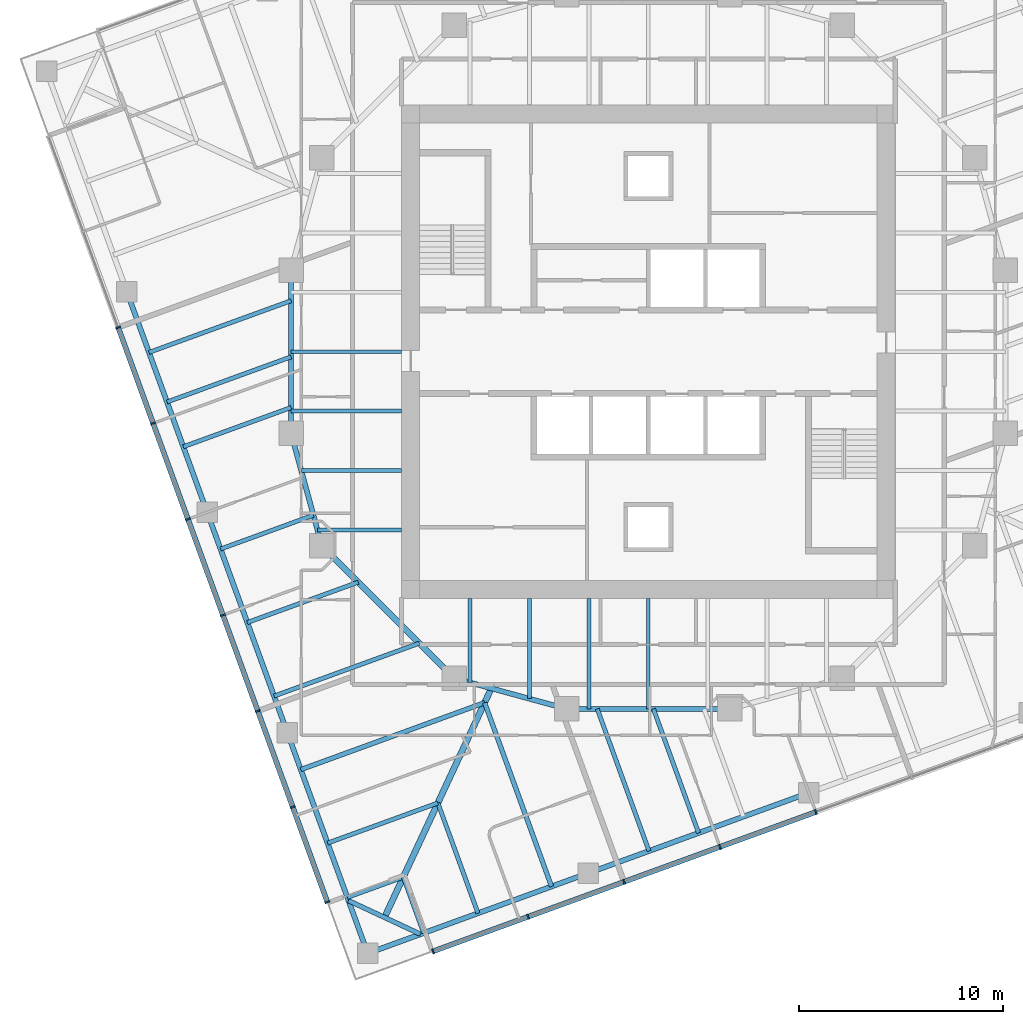
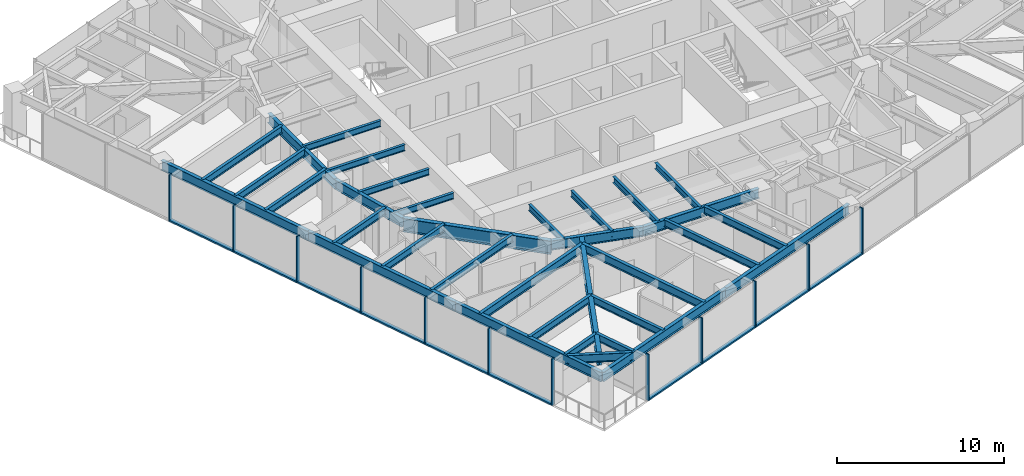
# One storey, part 2 of 13: 34 beams, 22 members, 2 elements without a shape of their own.
"""IFC4 building model written with IfcOpenShell, lengths in metres."""

from ifc_helpers import new_model, si_unit, direction, frame, origin, origin_2d, place, context, subcontext, project, spatial, rectangle, i_section, extrude, material, material_profile, profile_set, type_object, element, aggregate, save


model = new_model("IFC4")

# Units and contexts
model_context = context("Model", 3, precision=1e-05, world=origin(), true_north=direction((0.0, 1.0)))
body_context = subcontext(model_context, "Body", "Model", "MODEL_VIEW")
ifc_project = project(units=[si_unit("LENGTHUNIT", "METRE"), si_unit("AREAUNIT", "SQUARE_METRE"), si_unit("VOLUMEUNIT", "CUBIC_METRE"), si_unit("PLANEANGLEUNIT", "RADIAN"), si_unit("MASSUNIT", "GRAM", prefix="KILO")], contexts=[model_context])

# Site, building, storey
site_placement = place(None, origin())
site = spatial("IfcSite", under=ifc_project, at=site_placement, CompositionType="ELEMENT")
building_placement = place(site_placement, origin())
building = spatial("IfcBuilding", under=site, at=building_placement, Name="Torsade Residences", CompositionType="ELEMENT")
storey_placement = place(building_placement, frame((0.0, 0.0, 157.39990234375)))
storey = spatial("IfcBuildingStorey", under=building, at=storey_placement, Name="L43", CompositionType="ELEMENT", Elevation=157.39990234375)

# Beams
ifc_material_1 = material(Name="Steel grade 300", Category="steel")
ifc_material_profile_1 = material_profile(ifc_material_1, i_section(OverallWidth=0.300048828125, OverallDepth=0.89990234375, WebThickness=0.011962890625, FlangeThickness=0.02490234375, at=origin_2d()), Name="900WB175")
ifc_profile_set_1 = profile_set([ifc_material_profile_1], Name="Steel grade 300")
beam_type_1 = type_object("IfcBeamType", Name="CORNER GIRDER 900WB175", PredefinedType="BEAM", material=ifc_profile_set_1)
beam_1_placement = place(storey_placement, frame((27.075439453125, 2.282958984375, 2.800048828125), z_axis=(0.422616712682, 0.906308509373, 0.0), x_axis=(-0.906308509373, 0.422616712682, 0.0)))
element("IfcBeam", 1, at=beam_1_placement, inside=storey, type_object=beam_type_1, Name="Corner girder 01 L44", PredefinedType="BEAM", context=body_context, shape_type="SweptSolid", body=[
    extrude(i_section(OverallWidth=0.300048828125, OverallDepth=0.89990234375, WebThickness=0.011962890625, FlangeThickness=0.02490234375, at=origin_2d()), origin(), (0.0, 0.0, 1.0), 12.3837890625),
])
ifc_material_2 = material(Name="Steel grade 300", Category="steel")
ifc_material_profile_2 = material_profile(ifc_material_2, i_section(OverallWidth=0.22802734375, OverallDepth=0.60205078125, WebThickness=0.010498046875, FlangeThickness=0.014892578125, FilletRadius=0.013916015625, at=origin_2d()), Name="610UB101")
ifc_profile_set_2 = profile_set([ifc_material_profile_2], Name="Steel grade 300")
beam_type_2 = type_object("IfcBeamType", Name="CORNER TRIMMER 610UB101", PredefinedType="BEAM", material=ifc_profile_set_2)
beam_2_placement = place(storey_placement, frame((28.837646484375, 1.461181640625, 2.94921875), z_axis=(-0.906309798645, 0.422613947806, 0.0), x_axis=(-0.422613947806, -0.906309798645, 0.0)))
element("IfcBeam", 2, at=beam_2_placement, inside=storey, type_object=beam_type_2, Name="Corner trimmer 01 L44", PredefinedType="BEAM", context=body_context, shape_type="SweptSolid", body=[
    extrude(i_section(OverallWidth=0.22802734375, OverallDepth=0.60205078125, WebThickness=0.010498046875, FlangeThickness=0.014892578125, FilletRadius=0.013916015625, at=origin_2d()), origin(), (0.0, 0.0, 1.0), 3.888916015625),
])
ifc_material_3 = material(Name="Steel grade 300", Category="steel")
ifc_material_profile_3 = material_profile(ifc_material_3, i_section(OverallWidth=0.25, OverallDepth=0.699951171875, WebThickness=0.010009765625, FlangeThickness=0.02001953125, at=origin_2d()), Name="700WB130")
ifc_profile_set_3 = profile_set([ifc_material_profile_3], Name="Steel grade 300")
beam_type_3 = type_object("IfcBeamType", Name="EDGE BEAM 700WB130", PredefinedType="SPANDREL", material=ifc_profile_set_3)
beam_3_placement = place(storey_placement, frame((26.25341796875, 0.5205078125, 2.900146484375), z_axis=(0.93969110915, 0.342024296483, 0.0), x_axis=(-0.342024296483, 0.93969110915, 0.0)))
element("IfcBeam", 3, at=beam_3_placement, inside=storey, type_object=beam_type_3, Name="Edge beam 01 L44", PredefinedType="SPANDREL", context=body_context, shape_type="SweptSolid", body=[
    extrude(i_section(OverallWidth=0.25, OverallDepth=0.699951171875, WebThickness=0.010009765625, FlangeThickness=0.02001953125, at=origin_2d()), origin(), (0.0, 0.0, 1.0), 11.500244140625),
])
for number, where, z_axis, x_axis, name in (
    (4, (37.06005859375, 4.453857421875, 2.900146484375), (0.939695448801, 0.342012373318, 0.0), (-0.342012373318, 0.939695448801, 0.0), "Edge beam 02 L44"),
    (5, (14.453857421875, 32.93994140625, 2.900146484375), (0.342012373318, -0.939695448801, 0.0), (0.939695448801, 0.342012373318, 0.0), "Edge beam 14 L44"),
    (6, (18.386962890625, 22.133544921875, 2.900146484375), (0.342031119628, -0.939688625666, 0.0), (0.939688625666, 0.342031119628, 0.0), "Edge beam 15 L44"),
    (7, (22.3203125, 11.3271484375, 2.900146484375), (0.342005550448, -0.939697932031, 0.0), (0.939697932031, 0.342005550448, 0.0), "Edge beam 16 L44"),
):
    element("IfcBeam", number, at=place(storey_placement, frame(where, z_axis=z_axis, x_axis=x_axis)), inside=storey, type_object=beam_type_3, Name=name, PredefinedType="SPANDREL", context=body_context, shape_type="SweptSolid", body=[
        extrude(i_section(OverallWidth=0.25, OverallDepth=0.699951171875, WebThickness=0.010009765625, FlangeThickness=0.02001953125, at=origin_2d()), origin(), (0.0, 0.0, 1.0), 11.5),
    ])
ifc_material_4 = material(Name="Steel grade 300", Category="steel")
ifc_material_profile_4 = material_profile(ifc_material_4, i_section(OverallWidth=0.18994140625, OverallDepth=0.4541015625, WebThickness=0.008544921875, FlangeThickness=0.0126953125, FilletRadius=0.011474609375, at=origin_2d()), Name="460UB67.1")
ifc_profile_set_4 = profile_set([ifc_material_profile_4], Name="Steel grade 300")
beam_type_4 = type_object("IfcBeamType", Name="INNER FLOOR BEAM 460UB67.1", PredefinedType="JOIST", material=ifc_profile_set_4)
for number, where, z_axis, x_axis, name in (
    (8, (40.0, 17.89990234375, 3.023193359375), (0.0, -1.0, 0.0), (1.0, 0.0, 0.0), "Inner floor beam IS04 L44"),
    (9, (37.08740234375, 17.89990234375, 3.023193359375), (0.0, -1.0, 0.0), (1.0, 0.0, 0.0), "Inner floor beam IS05 L44"),
):
    element("IfcBeam", number, at=place(storey_placement, frame(where, z_axis=z_axis, x_axis=x_axis)), inside=storey, type_object=beam_type_4, Name=name, PredefinedType="JOIST", context=body_context, shape_type="SweptSolid", body=[
        extrude(i_section(OverallWidth=0.18994140625, OverallDepth=0.4541015625, WebThickness=0.008544921875, FlangeThickness=0.0126953125, FilletRadius=0.011474609375, at=origin_2d()), origin(), (0.0, 0.0, 1.0), 5.39990234375),
    ])
beam_4_placement = place(storey_placement, frame((34.175048828125, 17.89990234375, 3.023193359375), z_axis=(0.0, -1.0, 0.0), x_axis=(1.0, 0.0, 0.0)))
element("IfcBeam", 10, at=beam_4_placement, inside=storey, type_object=beam_type_4, Name="Inner floor beam IS06 L44", PredefinedType="JOIST", context=body_context, shape_type="SweptSolid", body=[
    extrude(i_section(OverallWidth=0.18994140625, OverallDepth=0.4541015625, WebThickness=0.008544921875, FlangeThickness=0.0126953125, FilletRadius=0.011474609375, at=origin_2d()), origin(), (0.0, 0.0, 1.0), 4.902099609375),
])
beam_5_placement = place(storey_placement, frame((31.262451171875, 17.89990234375, 3.023193359375), z_axis=(0.0, -1.0, 0.0), x_axis=(1.0, 0.0, 0.0)))
element("IfcBeam", 11, at=beam_5_placement, inside=storey, type_object=beam_type_4, Name="Inner floor beam IS07 L44", PredefinedType="JOIST", context=body_context, shape_type="SweptSolid", body=[
    extrude(i_section(OverallWidth=0.18994140625, OverallDepth=0.4541015625, WebThickness=0.008544921875, FlangeThickness=0.0126953125, FilletRadius=0.011474609375, at=origin_2d()), origin(), (0.0, 0.0, 1.0), 4.10791015625),
])
for number, where, z_axis, x_axis, name in (
    (12, (27.89990234375, 30.0, 3.023193359375), (-1.0, 0.0, 0.0), (0.0, -1.0, 0.0), "Inner floor beam IW04 L44"),
    (13, (27.89990234375, 27.08740234375, 3.023193359375), (-1.0, 0.0, 0.0), (0.0, -1.0, 0.0), "Inner floor beam IW05 L44"),
):
    element("IfcBeam", number, at=place(storey_placement, frame(where, z_axis=z_axis, x_axis=x_axis)), inside=storey, type_object=beam_type_4, Name=name, PredefinedType="JOIST", context=body_context, shape_type="SweptSolid", body=[
        extrude(i_section(OverallWidth=0.18994140625, OverallDepth=0.4541015625, WebThickness=0.008544921875, FlangeThickness=0.0126953125, FilletRadius=0.011474609375, at=origin_2d()), origin(), (0.0, 0.0, 1.0), 5.39990234375),
    ])
beam_6_placement = place(storey_placement, frame((27.89990234375, 24.175048828125, 3.023193359375), z_axis=(-1.0, 0.0, 0.0), x_axis=(0.0, -1.0, 0.0)))
element("IfcBeam", 14, at=beam_6_placement, inside=storey, type_object=beam_type_4, Name="Inner floor beam IW06 L44", PredefinedType="JOIST", context=body_context, shape_type="SweptSolid", body=[
    extrude(i_section(OverallWidth=0.18994140625, OverallDepth=0.4541015625, WebThickness=0.008544921875, FlangeThickness=0.0126953125, FilletRadius=0.011474609375, at=origin_2d()), origin(), (0.0, 0.0, 1.0), 4.902099609375),
])
beam_7_placement = place(storey_placement, frame((27.89990234375, 21.262451171875, 3.023193359375), z_axis=(-1.0, 0.0, 0.0), x_axis=(0.0, -1.0, 0.0)))
element("IfcBeam", 15, at=beam_7_placement, inside=storey, type_object=beam_type_4, Name="Inner floor beam IW07 L44", PredefinedType="JOIST", context=body_context, shape_type="SweptSolid", body=[
    extrude(i_section(OverallWidth=0.18994140625, OverallDepth=0.4541015625, WebThickness=0.008544921875, FlangeThickness=0.0126953125, FilletRadius=0.011474609375, at=origin_2d()), origin(), (0.0, 0.0, 1.0), 4.10791015625),
])

# Curtain wall, members
ifc_material_5 = material(Name="Aluminium and glass", Category="aluminium")
curtain_wall_type = type_object("IfcCurtainWallType", Name="FRITTED GLASS CURTAIN WALL MID ZONE", PredefinedType="NOTDEFINED", material=ifc_material_5)
curtain_wall_1_placement = place(storey_placement, origin())
curtain_wall_1 = element("IfcCurtainWall", 16, at=curtain_wall_1_placement, inside=storey, type_object=curtain_wall_type, Name="Curtain wall L43 face 1", PredefinedType="NOTDEFINED")
ifc_material_6 = material(Name="Aluminium mullion", Category="aluminium")
ifc_material_profile_5 = material_profile(ifc_material_6, rectangle(XDim=0.25, YDim=0.080078125, at=origin_2d()), Name="MID ZONE CURTAIN WALL MULLION 250x80")
ifc_profile_set_5 = profile_set([ifc_material_profile_5], Name="Aluminium mullion")
member_type_1 = type_object("IfcMemberType", Name="MID ZONE CURTAIN WALL MULLION 250x80", PredefinedType="MULLION", material=ifc_profile_set_5)
member_1_placement = place(storey_placement, frame((29.4521484375, 0.62060546875, 0.0), z_axis=(0.0, 0.0, 1.0), x_axis=(-0.342020147869, 0.939692619132, 0.0)))
member_1 = element("IfcMember", 17, at=member_1_placement, type_object=member_type_1, Name="Mullion 1", PredefinedType="MULLION", context=body_context, shape_type="SweptSolid", body=[
    extrude(rectangle(XDim=0.25, YDim=0.080078125, at=origin_2d()), origin(), (0.0, 0.0, 1.0), 3.400146484375),
])
member_2_placement = place(storey_placement, frame((34.113037109375, 2.317138671875, 0.0), z_axis=(0.0, 0.0, 1.0), x_axis=(-0.342020147869, 0.939692619132, 0.0)))
member_2 = element("IfcMember", 18, at=member_2_placement, type_object=member_type_1, Name="Mullion 2", PredefinedType="MULLION", context=body_context, shape_type="SweptSolid", body=[
    extrude(rectangle(XDim=0.25, YDim=0.080078125, at=origin_2d()), origin(), (0.0, 0.0, 1.0), 3.400146484375),
])
member_3_placement = place(storey_placement, frame((38.8115234375, 4.027099609375, 0.0), z_axis=(0.0, 0.0, 1.0), x_axis=(-0.342020147869, 0.939692619132, 0.0)))
member_3 = element("IfcMember", 19, at=member_3_placement, type_object=member_type_1, Name="Mullion 3", PredefinedType="MULLION", context=body_context, shape_type="SweptSolid", body=[
    extrude(rectangle(XDim=0.25, YDim=0.080078125, at=origin_2d()), origin(), (0.0, 0.0, 1.0), 3.400146484375),
])
member_4_placement = place(storey_placement, frame((43.510009765625, 5.7373046875, 0.0), z_axis=(0.0, 0.0, 1.0), x_axis=(-0.342020147869, 0.939692619132, 0.0)))
member_4 = element("IfcMember", 20, at=member_4_placement, type_object=member_type_1, Name="Mullion 4", PredefinedType="MULLION", context=body_context, shape_type="SweptSolid", body=[
    extrude(rectangle(XDim=0.25, YDim=0.080078125, at=origin_2d()), origin(), (0.0, 0.0, 1.0), 3.400146484375),
])
member_5_placement = place(storey_placement, frame((48.20849609375, 7.447265625, 0.0), z_axis=(0.0, 0.0, 1.0), x_axis=(-0.342020147869, 0.939692619132, 0.0)))
member_5 = element("IfcMember", 21, at=member_5_placement, type_object=member_type_1, Name="Mullion 5", PredefinedType="MULLION", context=body_context, shape_type="SweptSolid", body=[
    extrude(rectangle(XDim=0.25, YDim=0.080078125, at=origin_2d()), origin(), (0.0, 0.0, 1.0), 3.400146484375),
])

curtain_wall_2_placement = place(storey_placement, origin())
curtain_wall_2 = element("IfcCurtainWall", 22, at=curtain_wall_2_placement, inside=storey, type_object=curtain_wall_type, Name="Curtain wall L43 face 10", PredefinedType="NOTDEFINED")
member_6_placement = place(storey_placement, frame((14.027099609375, 31.1884765625, 0.0), z_axis=(0.0, 0.0, 1.0), x_axis=(0.939692619132, 0.342020147869, 0.0)))
member_6 = element("IfcMember", 23, at=member_6_placement, type_object=member_type_1, Name="Mullion 3", PredefinedType="MULLION", context=body_context, shape_type="SweptSolid", body=[
    extrude(rectangle(XDim=0.25, YDim=0.080078125, at=origin_2d()), origin(), (0.0, 0.0, 1.0), 3.400146484375),
])
member_7_placement = place(storey_placement, frame((15.7373046875, 26.489990234375, 0.0), z_axis=(0.0, 0.0, 1.0), x_axis=(0.939692619132, 0.342020147869, 0.0)))
member_7 = element("IfcMember", 24, at=member_7_placement, type_object=member_type_1, Name="Mullion 4", PredefinedType="MULLION", context=body_context, shape_type="SweptSolid", body=[
    extrude(rectangle(XDim=0.25, YDim=0.080078125, at=origin_2d()), origin(), (0.0, 0.0, 1.0), 3.400146484375),
])
member_8_placement = place(storey_placement, frame((17.447265625, 21.79150390625, 0.0), z_axis=(0.0, 0.0, 1.0), x_axis=(0.939692619132, 0.342020147869, 0.0)))
member_8 = element("IfcMember", 25, at=member_8_placement, type_object=member_type_1, Name="Mullion 5", PredefinedType="MULLION", context=body_context, shape_type="SweptSolid", body=[
    extrude(rectangle(XDim=0.25, YDim=0.080078125, at=origin_2d()), origin(), (0.0, 0.0, 1.0), 3.400146484375),
])
member_9_placement = place(storey_placement, frame((19.157470703125, 17.093017578125, 0.0), z_axis=(0.0, 0.0, 1.0), x_axis=(0.939692619132, 0.342020147869, 0.0)))
member_9 = element("IfcMember", 26, at=member_9_placement, type_object=member_type_1, Name="Mullion 6", PredefinedType="MULLION", context=body_context, shape_type="SweptSolid", body=[
    extrude(rectangle(XDim=0.25, YDim=0.080078125, at=origin_2d()), origin(), (0.0, 0.0, 1.0), 3.400146484375),
])
member_10_placement = place(storey_placement, frame((20.86767578125, 12.39453125, 0.0), z_axis=(0.0, 0.0, 1.0), x_axis=(0.939692619132, 0.342020147869, 0.0)))
member_10 = element("IfcMember", 27, at=member_10_placement, type_object=member_type_1, Name="Mullion 7", PredefinedType="MULLION", context=body_context, shape_type="SweptSolid", body=[
    extrude(rectangle(XDim=0.25, YDim=0.080078125, at=origin_2d()), origin(), (0.0, 0.0, 1.0), 3.400146484375),
])
member_11_placement = place(storey_placement, frame((22.57763671875, 7.696044921875, 0.0), z_axis=(0.0, 0.0, 1.0), x_axis=(0.939692619132, 0.342020147869, 0.0)))
member_11 = element("IfcMember", 28, at=member_11_placement, type_object=member_type_1, Name="Mullion 8", PredefinedType="MULLION", context=body_context, shape_type="SweptSolid", body=[
    extrude(rectangle(XDim=0.25, YDim=0.080078125, at=origin_2d()), origin(), (0.0, 0.0, 1.0), 3.400146484375),
])
member_12_placement = place(storey_placement, frame((24.274169921875, 3.03515625, 0.0), z_axis=(0.0, 0.0, 1.0), x_axis=(0.939692619132, 0.342020147869, 0.0)))
member_12 = element("IfcMember", 29, at=member_12_placement, type_object=member_type_1, Name="Mullion 9", PredefinedType="MULLION", context=body_context, shape_type="SweptSolid", body=[
    extrude(rectangle(XDim=0.25, YDim=0.080078125, at=origin_2d()), origin(), (0.0, 0.0, 1.0), 3.400146484375),
])

# Member
ifc_material_7 = material(Name="Aluminium transom", Category="aluminium")
ifc_material_profile_6 = material_profile(ifc_material_7, rectangle(XDim=0.25, YDim=0.110107421875, at=origin_2d()), Name="MID ZONE CURTAIN WALL TRANSOM 250x110")
ifc_profile_set_6 = profile_set([ifc_material_profile_6], Name="Aluminium transom")
member_type_2 = type_object("IfcMemberType", Name="MID ZONE CURTAIN WALL TRANSOM 250x110", PredefinedType="USERDEFINED", material=ifc_profile_set_6)
member_13_placement = place(storey_placement, frame((29.48974609375, 0.63427734375, 0.05517578125), z_axis=(0.939683823915, 0.342044311564, 0.0), x_axis=(-0.342044311564, 0.939683823915, 0.0)))
member_13 = element("IfcMember", 30, at=member_13_placement, type_object=member_type_2, Name="Transom 1.1", ObjectType="TRANSOM", PredefinedType="USERDEFINED", context=body_context, shape_type="SweptSolid", body=[
    extrude(rectangle(XDim=0.25, YDim=0.110107421875, at=origin_2d()), origin(), (0.0, 0.0, 1.0), 4.880126953125),
])

member_14_placement = place(storey_placement, frame((34.150634765625, 2.330810546875, 0.05517578125), z_axis=(0.9397006637, 0.341998044792, 0.0), x_axis=(-0.341998044792, 0.9397006637, 0.0)))
member_14 = element("IfcMember", 31, at=member_14_placement, type_object=member_type_2, Name="Transom 2.1", ObjectType="TRANSOM", PredefinedType="USERDEFINED", context=body_context, shape_type="SweptSolid", body=[
    extrude(rectangle(XDim=0.25, YDim=0.110107421875, at=origin_2d()), origin(), (0.0, 0.0, 1.0), 4.919921875),
])

member_15_placement = place(storey_placement, frame((38.84912109375, 4.040771484375, 0.05517578125), z_axis=(0.93968471549, 0.342041862168, 0.0), x_axis=(-0.342041862168, 0.93968471549, 0.0)))
member_15 = element("IfcMember", 32, at=member_15_placement, type_object=member_type_2, Name="Transom 3.1", ObjectType="TRANSOM", PredefinedType="USERDEFINED", context=body_context, shape_type="SweptSolid", body=[
    extrude(rectangle(XDim=0.25, YDim=0.110107421875, at=origin_2d()), origin(), (0.0, 0.0, 1.0), 4.920166015625),
])

member_16_placement = place(storey_placement, frame((43.547607421875, 5.7509765625, 0.05517578125), z_axis=(0.9397006637, 0.341998044792, 0.0), x_axis=(-0.341998044792, 0.9397006637, 0.0)))
member_16 = element("IfcMember", 33, at=member_16_placement, type_object=member_type_2, Name="Transom 4.1", ObjectType="TRANSOM", PredefinedType="USERDEFINED", context=body_context, shape_type="SweptSolid", body=[
    extrude(rectangle(XDim=0.25, YDim=0.110107421875, at=origin_2d()), origin(), (0.0, 0.0, 1.0), 4.919921875),
])

aggregate(curtain_wall_1, [member_1, member_2, member_3, member_4, member_5, member_13, member_14, member_15, member_16])

member_17_placement = place(storey_placement, frame((14.040771484375, 31.15087890625, 0.05517578125), z_axis=(0.342041862168, -0.93968471549, 0.0), x_axis=(0.93968471549, 0.342041862168, 0.0)))
member_17 = element("IfcMember", 34, at=member_17_placement, type_object=member_type_2, Name="Transom 3.1", ObjectType="TRANSOM", PredefinedType="USERDEFINED", context=body_context, shape_type="SweptSolid", body=[
    extrude(rectangle(XDim=0.25, YDim=0.110107421875, at=origin_2d()), origin(), (0.0, 0.0, 1.0), 4.920166015625),
])

member_18_placement = place(storey_placement, frame((15.7509765625, 26.452392578125, 0.05517578125), z_axis=(0.341998044792, -0.9397006637, 0.0), x_axis=(0.9397006637, 0.341998044792, 0.0)))
member_18 = element("IfcMember", 35, at=member_18_placement, type_object=member_type_2, Name="Transom 4.1", ObjectType="TRANSOM", PredefinedType="USERDEFINED", context=body_context, shape_type="SweptSolid", body=[
    extrude(rectangle(XDim=0.25, YDim=0.110107421875, at=origin_2d()), origin(), (0.0, 0.0, 1.0), 4.919921875),
])

member_19_placement = place(storey_placement, frame((17.4609375, 21.75390625, 0.05517578125), z_axis=(0.342041862168, -0.93968471549, 0.0), x_axis=(0.93968471549, 0.342041862168, 0.0)))
member_19 = element("IfcMember", 36, at=member_19_placement, type_object=member_type_2, Name="Transom 5.1", ObjectType="TRANSOM", PredefinedType="USERDEFINED", context=body_context, shape_type="SweptSolid", body=[
    extrude(rectangle(XDim=0.25, YDim=0.110107421875, at=origin_2d()), origin(), (0.0, 0.0, 1.0), 4.920166015625),
])

member_20_placement = place(storey_placement, frame((19.171142578125, 17.055419921875, 0.05517578125), z_axis=(0.342041862168, -0.93968471549, 0.0), x_axis=(0.93968471549, 0.342041862168, 0.0)))
member_20 = element("IfcMember", 37, at=member_20_placement, type_object=member_type_2, Name="Transom 6.1", ObjectType="TRANSOM", PredefinedType="USERDEFINED", context=body_context, shape_type="SweptSolid", body=[
    extrude(rectangle(XDim=0.25, YDim=0.110107421875, at=origin_2d()), origin(), (0.0, 0.0, 1.0), 4.920166015625),
])

member_21_placement = place(storey_placement, frame((20.88134765625, 12.35693359375, 0.05517578125), z_axis=(0.341998044792, -0.9397006637, 0.0), x_axis=(0.9397006637, 0.341998044792, 0.0)))
member_21 = element("IfcMember", 38, at=member_21_placement, type_object=member_type_2, Name="Transom 7.1", ObjectType="TRANSOM", PredefinedType="USERDEFINED", context=body_context, shape_type="SweptSolid", body=[
    extrude(rectangle(XDim=0.25, YDim=0.110107421875, at=origin_2d()), origin(), (0.0, 0.0, 1.0), 4.919921875),
])

member_22_placement = place(storey_placement, frame((22.59130859375, 7.658447265625, 0.05517578125), z_axis=(0.342044311564, -0.939683823915, 0.0), x_axis=(0.939683823915, 0.342044311564, 0.0)))
member_22 = element("IfcMember", 39, at=member_22_placement, type_object=member_type_2, Name="Transom 8.1", ObjectType="TRANSOM", PredefinedType="USERDEFINED", context=body_context, shape_type="SweptSolid", body=[
    extrude(rectangle(XDim=0.25, YDim=0.110107421875, at=origin_2d()), origin(), (0.0, 0.0, 1.0), 4.880126953125),
])

aggregate(curtain_wall_2, [member_6, member_7, member_8, member_9, member_10, member_11, member_12, member_17, member_18, member_19, member_20, member_21, member_22])

# Beams
ifc_material_8 = material(Name="Steel grade 300", Category="steel")
ifc_material_profile_7 = material_profile(ifc_material_8, i_section(OverallWidth=0.300048828125, OverallDepth=1.0, WebThickness=0.01611328125, FlangeThickness=0.028076171875, at=origin_2d()), Name="1000WB215")
ifc_profile_set_7 = profile_set([ifc_material_profile_7], Name="Steel grade 300")
beam_type_5 = type_object("IfcBeamType", Name="RING CORNER GIRDER 1000WB215", PredefinedType="BEAM", material=ifc_profile_set_7)
beam_8_placement = place(storey_placement, frame((24.0, 20.5, 2.75), z_axis=(0.707106781187, -0.707106781187, 0.0), x_axis=(0.707106781187, 0.707106781187, 0.0)))
element("IfcBeam", 40, at=beam_8_placement, inside=storey, type_object=beam_type_5, Name="Ring girder IR11 L44", PredefinedType="BEAM", context=body_context, shape_type="SweptSolid", body=[
    extrude(i_section(OverallWidth=0.300048828125, OverallDepth=1.0, WebThickness=0.01611328125, FlangeThickness=0.028076171875, at=origin_2d()), origin(), (0.0, 0.0, 1.0), 9.1923828125),
])
ifc_material_9 = material(Name="Steel grade 300", Category="steel")
ifc_material_profile_8 = material_profile(ifc_material_9, i_section(OverallWidth=0.25, OverallDepth=0.699951171875, WebThickness=0.010009765625, FlangeThickness=0.02001953125, at=origin_2d()), Name="700WB130")
ifc_profile_set_8 = profile_set([ifc_material_profile_8], Name="Steel grade 300")
beam_type_6 = type_object("IfcBeamType", Name="RING GIRDER 700WB130", PredefinedType="BEAM", material=ifc_profile_set_8)
beam_9_placement = place(storey_placement, frame((22.5, 34.0, 2.900146484375), z_axis=(0.0, -1.0, 0.0), x_axis=(1.0, 0.0, 0.0)))
element("IfcBeam", 41, at=beam_9_placement, inside=storey, type_object=beam_type_6, Name="Ring girder IR09 L44", PredefinedType="BEAM", context=body_context, shape_type="SweptSolid", body=[
    extrude(i_section(OverallWidth=0.25, OverallDepth=0.699951171875, WebThickness=0.010009765625, FlangeThickness=0.02001953125, at=origin_2d()), origin(), (0.0, 0.0, 1.0), 8.0),
])
for number, where, z_axis, x_axis, name in (
    (42, (22.5, 26.0, 2.900146484375), (0.263117405792, -0.964763821238, 0.0), (0.964763821238, 0.263117405792, 0.0), "Ring girder IR10 L44"),
    (43, (30.5, 14.0, 2.900146484375), (0.964763821238, -0.263117405792, 0.0), (0.263117405792, 0.964763821238, 0.0), "Ring girder IR12 L44"),
):
    element("IfcBeam", number, at=place(storey_placement, frame(where, z_axis=z_axis, x_axis=x_axis)), inside=storey, type_object=beam_type_6, Name=name, PredefinedType="BEAM", context=body_context, shape_type="SweptSolid", body=[
        extrude(i_section(OverallWidth=0.25, OverallDepth=0.699951171875, WebThickness=0.010009765625, FlangeThickness=0.02001953125, at=origin_2d()), origin(), (0.0, 0.0, 1.0), 5.700927734375),
    ])
beam_10_placement = place(storey_placement, frame((36.0, 12.5, 2.900146484375), z_axis=(1.0, 0.0, 0.0), x_axis=(0.0, 1.0, 0.0)))
element("IfcBeam", 44, at=beam_10_placement, inside=storey, type_object=beam_type_6, Name="Ring girder IR13 L44", PredefinedType="BEAM", context=body_context, shape_type="SweptSolid", body=[
    extrude(i_section(OverallWidth=0.25, OverallDepth=0.699951171875, WebThickness=0.010009765625, FlangeThickness=0.02001953125, at=origin_2d()), origin(), (0.0, 0.0, 1.0), 8.0),
])
ifc_material_10 = material(Name="Steel grade 300", Category="steel")
ifc_material_profile_9 = material_profile(ifc_material_10, i_section(OverallWidth=0.208984375, OverallDepth=0.528076171875, WebThickness=0.009521484375, FlangeThickness=0.01318359375, FilletRadius=0.013916015625, at=origin_2d()), Name="530UB82.0")
ifc_profile_set_9 = profile_set([ifc_material_profile_9], Name="Steel grade 300")
beam_type_7 = type_object("IfcBeamType", Name="SECONDARY BEAM 530UB82.0", PredefinedType="JOIST", material=ifc_profile_set_9)
beam_11_placement = place(storey_placement, frame((28.994384765625, 1.51806640625, 2.986083984375), z_axis=(-0.341998427281, 0.939700524495, 0.0), x_axis=(-0.939700524495, -0.341998427281, 0.0)))
element("IfcBeam", 45, at=beam_11_placement, inside=storey, type_object=beam_type_7, Name="Floor beam FS01 L44", PredefinedType="JOIST", context=body_context, shape_type="SweptSolid", body=[
    extrude(i_section(OverallWidth=0.208984375, OverallDepth=0.528076171875, WebThickness=0.009521484375, FlangeThickness=0.01318359375, FilletRadius=0.013916015625, at=origin_2d()), origin(), (0.0, 0.0, 1.0), 2.916748046875),
])
beam_12_placement = place(storey_placement, frame((31.65673828125, 2.4873046875, 2.986083984375), z_axis=(-0.342019196443, 0.939692965423, 0.0), x_axis=(-0.939692965423, -0.342019196443, 0.0)))
element("IfcBeam", 46, at=beam_12_placement, inside=storey, type_object=beam_type_7, Name="Floor beam FS02 L44", PredefinedType="JOIST", context=body_context, shape_type="SweptSolid", body=[
    extrude(i_section(OverallWidth=0.208984375, OverallDepth=0.528076171875, WebThickness=0.009521484375, FlangeThickness=0.01318359375, FilletRadius=0.013916015625, at=origin_2d()), origin(), (0.0, 0.0, 1.0), 5.749755859375),
])
beam_13_placement = place(storey_placement, frame((40.03564453125, 5.536865234375, 2.986083984375), z_axis=(-0.342026105929, 0.939690450554, 0.0), x_axis=(-0.939690450554, -0.342026105929, 0.0)))
element("IfcBeam", 47, at=beam_13_placement, inside=storey, type_object=beam_type_7, Name="Floor beam FS04 L44", PredefinedType="JOIST", context=body_context, shape_type="SweptSolid", body=[
    extrude(i_section(OverallWidth=0.208984375, OverallDepth=0.528076171875, WebThickness=0.009521484375, FlangeThickness=0.01318359375, FilletRadius=0.013916015625, at=origin_2d()), origin(), (0.0, 0.0, 1.0), 7.409912109375),
])
beam_14_placement = place(storey_placement, frame((42.463134765625, 6.42041015625, 2.986083984375), z_axis=(-0.342000590983, 0.939699737026, 0.0), x_axis=(-0.939699737026, -0.342000590983, 0.0)))
element("IfcBeam", 48, at=beam_14_placement, inside=storey, type_object=beam_type_7, Name="Floor beam FS05 L44", PredefinedType="JOIST", context=body_context, shape_type="SweptSolid", body=[
    extrude(i_section(OverallWidth=0.208984375, OverallDepth=0.528076171875, WebThickness=0.009521484375, FlangeThickness=0.01318359375, FilletRadius=0.013916015625, at=origin_2d()), origin(), (0.0, 0.0, 1.0), 6.4697265625),
])
beam_15_placement = place(storey_placement, frame((15.536865234375, 29.96435546875, 2.986083984375), z_axis=(0.939690450554, 0.342026105929, 0.0), x_axis=(-0.342026105929, 0.939690450554, 0.0)))
element("IfcBeam", 49, at=beam_15_placement, inside=storey, type_object=beam_type_7, Name="Floor beam FW04 L44", PredefinedType="JOIST", context=body_context, shape_type="SweptSolid", body=[
    extrude(i_section(OverallWidth=0.208984375, OverallDepth=0.528076171875, WebThickness=0.009521484375, FlangeThickness=0.01318359375, FilletRadius=0.013916015625, at=origin_2d()), origin(), (0.0, 0.0, 1.0), 7.409912109375),
])
beam_16_placement = place(storey_placement, frame((16.42041015625, 27.536865234375, 2.986083984375), z_axis=(0.939699737026, 0.342000590983, 0.0), x_axis=(-0.342000590983, 0.939699737026, 0.0)))
element("IfcBeam", 50, at=beam_16_placement, inside=storey, type_object=beam_type_7, Name="Floor beam FW05 L44", PredefinedType="JOIST", context=body_context, shape_type="SweptSolid", body=[
    extrude(i_section(OverallWidth=0.208984375, OverallDepth=0.528076171875, WebThickness=0.009521484375, FlangeThickness=0.01318359375, FilletRadius=0.013916015625, at=origin_2d()), origin(), (0.0, 0.0, 1.0), 6.4697265625),
])
beam_17_placement = place(storey_placement, frame((17.218505859375, 25.34423828125, 2.986083984375), z_axis=(0.939703343336, 0.341990681925, 0.0), x_axis=(-0.341990681925, 0.939703343336, 0.0)))
element("IfcBeam", 51, at=beam_17_placement, inside=storey, type_object=beam_type_7, Name="Floor beam FW06 L44", PredefinedType="JOIST", context=body_context, shape_type="SweptSolid", body=[
    extrude(i_section(OverallWidth=0.208984375, OverallDepth=0.528076171875, WebThickness=0.009521484375, FlangeThickness=0.01318359375, FilletRadius=0.013916015625, at=origin_2d()), origin(), (0.0, 0.0, 1.0), 5.620361328125),
])
beam_18_placement = place(storey_placement, frame((19.042724609375, 20.33251953125, 2.986083984375), z_axis=(0.939694777187, 0.342014218604, 0.0), x_axis=(-0.342014218604, 0.939694777187, 0.0)))
element("IfcBeam", 52, at=beam_18_placement, inside=storey, type_object=beam_type_7, Name="Floor beam FW07 L44", PredefinedType="JOIST", context=body_context, shape_type="SweptSolid", body=[
    extrude(i_section(OverallWidth=0.208984375, OverallDepth=0.528076171875, WebThickness=0.009521484375, FlangeThickness=0.01318359375, FilletRadius=0.013916015625, at=origin_2d()), origin(), (0.0, 0.0, 1.0), 4.84326171875),
])
beam_19_placement = place(storey_placement, frame((20.353759765625, 16.730224609375, 2.986083984375), z_axis=(0.939687428295, 0.342034409239, 0.0), x_axis=(-0.342034409239, 0.939687428295, 0.0)))
element("IfcBeam", 53, at=beam_19_placement, inside=storey, type_object=beam_type_7, Name="Floor beam FW08 L44", PredefinedType="JOIST", context=body_context, shape_type="SweptSolid", body=[
    extrude(i_section(OverallWidth=0.208984375, OverallDepth=0.528076171875, WebThickness=0.009521484375, FlangeThickness=0.01318359375, FilletRadius=0.013916015625, at=origin_2d()), origin(), (0.0, 0.0, 1.0), 5.785888671875),
])
beam_20_placement = place(storey_placement, frame((21.664794921875, 13.128173828125, 2.986083984375), z_axis=(0.939689847531, 0.342027762686, 0.0), x_axis=(-0.342027762686, 0.939689847531, 0.0)))
element("IfcBeam", 54, at=beam_20_placement, inside=storey, type_object=beam_type_7, Name="Floor beam FW09 L44", PredefinedType="JOIST", context=body_context, shape_type="SweptSolid", body=[
    extrude(i_section(OverallWidth=0.208984375, OverallDepth=0.528076171875, WebThickness=0.009521484375, FlangeThickness=0.01318359375, FilletRadius=0.013916015625, at=origin_2d()), origin(), (0.0, 0.0, 1.0), 7.573486328125),
])
beam_21_placement = place(storey_placement, frame((24.286865234375, 5.923828125, 2.986083984375), z_axis=(0.939697932031, 0.342005550448, 0.0), x_axis=(-0.342005550448, 0.939697932031, 0.0)))
element("IfcBeam", 55, at=beam_21_placement, inside=storey, type_object=beam_type_7, Name="Floor beam FW11 L44", PredefinedType="JOIST", context=body_context, shape_type="SweptSolid", body=[
    extrude(i_section(OverallWidth=0.208984375, OverallDepth=0.528076171875, WebThickness=0.009521484375, FlangeThickness=0.01318359375, FilletRadius=0.013916015625, at=origin_2d()), origin(), (0.0, 0.0, 1.0), 5.75),
])
beam_22_placement = place(storey_placement, frame((25.255859375, 3.261474609375, 2.986083984375), z_axis=(0.939700524495, 0.341998427281, 0.0), x_axis=(-0.341998427281, 0.939700524495, 0.0)))
element("IfcBeam", 56, at=beam_22_placement, inside=storey, type_object=beam_type_7, Name="Floor beam FW12 L44", PredefinedType="JOIST", context=body_context, shape_type="SweptSolid", body=[
    extrude(i_section(OverallWidth=0.208984375, OverallDepth=0.528076171875, WebThickness=0.009521484375, FlangeThickness=0.01318359375, FilletRadius=0.013916015625, at=origin_2d()), origin(), (0.0, 0.0, 1.0), 2.916748046875),
])
ifc_material_11 = material(Name="Steel grade 300", Category="steel")
ifc_material_profile_10 = material_profile(ifc_material_11, i_section(OverallWidth=0.22900390625, OverallDepth=0.612060546875, WebThickness=0.011962890625, FlangeThickness=0.01953125, FilletRadius=0.013916015625, at=origin_2d()), Name="610UB125")
ifc_profile_set_10 = profile_set([ifc_material_profile_10], Name="Steel grade 300")
beam_type_8 = type_object("IfcBeamType", Name="SECONDARY BEAM 610UB125", PredefinedType="JOIST", material=ifc_profile_set_10)
for number, where, z_axis, x_axis, name in (
    (57, (35.259033203125, 3.79833984375, 2.944091796875), (-0.342033504181, 0.939687757725, 0.0), (-0.939687757725, -0.342033504181, 0.0), "Floor beam FS03 L44"),
    (58, (22.975830078125, 9.52587890625, 2.944091796875), (0.939687757725, 0.342033504181, 0.0), (-0.342033504181, 0.939687757725, 0.0), "Floor beam FW10 L44"),
):
    element("IfcBeam", number, at=place(storey_placement, frame(where, z_axis=z_axis, x_axis=x_axis)), inside=storey, type_object=beam_type_8, Name=name, PredefinedType="JOIST", context=body_context, shape_type="SweptSolid", body=[
        extrude(i_section(OverallWidth=0.22900390625, OverallDepth=0.612060546875, WebThickness=0.011962890625, FlangeThickness=0.01953125, FilletRadius=0.013916015625, at=origin_2d()), origin(), (0.0, 0.0, 1.0), 9.583251953125),
    ])

save(model, "model.ifc")
